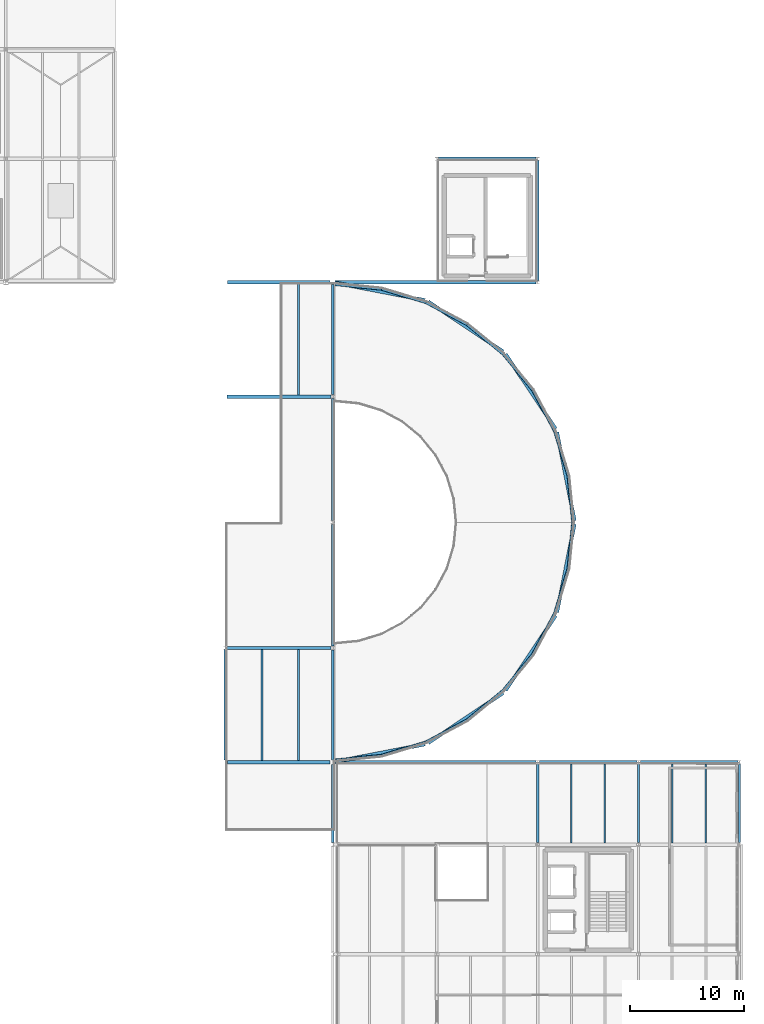
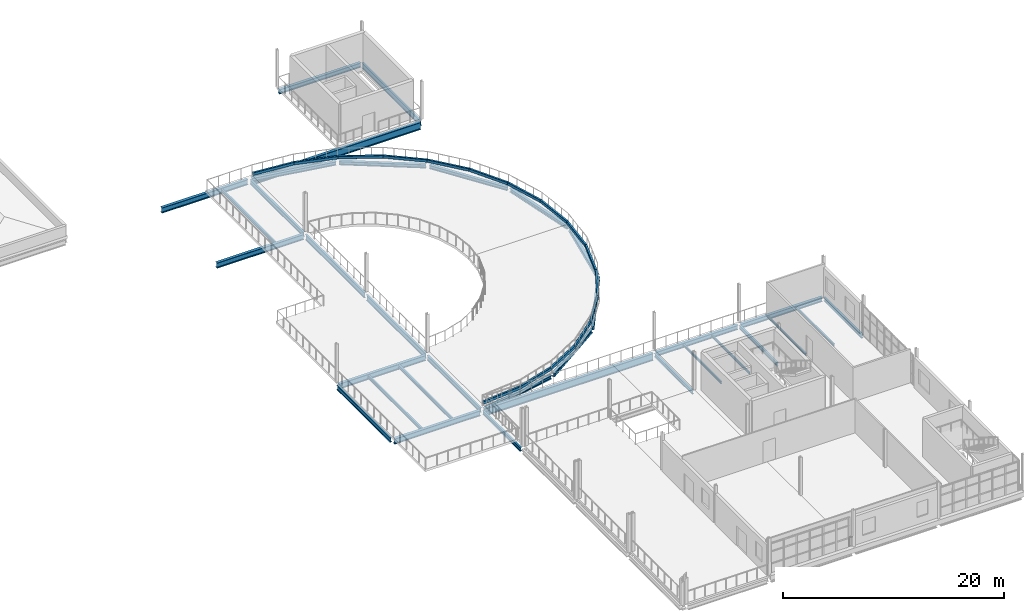
# One storey, part 33 of 58: 50 beams.
"""IFC4 building model written with IfcOpenShell, lengths in metres."""

from ifc_helpers import new_model, si_unit, direction, frame, origin, origin_2d, place, context, subcontext, project, spatial, hollow_rectangle, i_section, extrude, material, material_profile, profile_set, type_object, element, save


model = new_model("IFC4")

# Units and contexts
model_context = context("Model", 3, precision=1e-05, world=origin(), true_north=direction((0.0, 1.0)))
body_context = subcontext(model_context, "Body", "Model", "MODEL_VIEW")
ifc_project = project(units=[si_unit("LENGTHUNIT", "METRE"), si_unit("AREAUNIT", "SQUARE_METRE"), si_unit("VOLUMEUNIT", "CUBIC_METRE"), si_unit("PLANEANGLEUNIT", "RADIAN"), si_unit("MASSUNIT", "GRAM", prefix="KILO")], contexts=[model_context])

# Site, building, storey
site_placement = place(None, origin())
site = spatial("IfcSite", under=ifc_project, at=site_placement, CompositionType="ELEMENT")
building_placement = place(site_placement, origin())
building = spatial("IfcBuilding", under=site, at=building_placement, Name="Yeouljin Market Hall", CompositionType="ELEMENT")
storey_placement = place(building_placement, frame((0.0, 0.0, 10.800048828125)))
storey = spatial("IfcBuildingStorey", under=building, at=storey_placement, Name="L02", CompositionType="ELEMENT", Elevation=10.800048828125)

# Beams
ifc_material_1 = material(Name="Steel SM355", Category="steel")
ifc_material_profile_1 = material_profile(ifc_material_1, i_section(OverallWidth=0.300048828125, OverallDepth=0.389892578125, WebThickness=0.010009765625, FlangeThickness=0.01611328125, FilletRadius=0.01806640625, at=origin_2d()), Name="H-390x300x10x16")
ifc_profile_set_1 = profile_set([ifc_material_profile_1], Name="Steel SM355")
beam_type_1 = type_object("IfcBeamType", Name="Beam_H-390x300x10x16", PredefinedType="BEAM", material=ifc_profile_set_1)
beam_1_placement = place(storey_placement, frame((140.981201171875, 36.0380859375, -0.465087890625), z_axis=(0.981751900306, 0.19016625948, 0.0), x_axis=(-0.19016625948, 0.981751900306, 0.0)))
element("IfcBeam", 1, at=beam_1_placement, inside=storey, type_object=beam_type_1, Name="Apse ring beam L02 163", PredefinedType="BEAM", context=body_context, shape_type="SweptSolid", body=[
    extrude(i_section(OverallWidth=0.300048828125, OverallDepth=0.389892578125, WebThickness=0.010009765625, FlangeThickness=0.01611328125, FilletRadius=0.01806640625, at=origin_2d()), origin(), (0.0, 0.0, 1.0), 8.045654296875),
])
for number, where, z_axis, x_axis, name in (
    (2, (149.168701171875, 37.68701171875, -0.465087890625), (0.831472752027, 0.555565534062, 0.0), (-0.555565534062, 0.831472752027, 0.0), "Apse ring beam L02 164"),
    (3, (155.937744140625, 42.283203125, -0.465087890625), (0.555565534062, 0.831472752027, 0.0), (-0.831472752027, 0.555565534062, 0.0), "Apse ring beam L02 165"),
    (4, (160.4326171875, 49.119873046875, -0.465087890625), (0.195090603327, 0.980785224447, 0.0), (-0.980785224447, 0.195090603327, 0.0), "Apse ring beam L02 166"),
    (5, (161.968994140625, 57.15625, -0.465087890625), (-0.195090603327, 0.980785224447, 0.0), (-0.980785224447, -0.195090603327, 0.0), "Apse ring beam L02 167"),
    (6, (160.31298828125, 65.168701171875, -0.465087890625), (-0.555565534062, 0.831472752027, 0.0), (-0.831472752027, -0.555565534062, 0.0), "Apse ring beam L02 168"),
    (7, (155.716796875, 71.937744140625, -0.465087890625), (-0.831472752027, 0.555565534062, 0.0), (-0.555565534062, -0.831472752027, 0.0), "Apse ring beam L02 169"),
):
    element("IfcBeam", number, at=place(storey_placement, frame(where, z_axis=z_axis, x_axis=x_axis)), inside=storey, type_object=beam_type_1, Name=name, PredefinedType="BEAM", context=body_context, shape_type="SweptSolid", body=[
        extrude(i_section(OverallWidth=0.300048828125, OverallDepth=0.389892578125, WebThickness=0.010009765625, FlangeThickness=0.01611328125, FilletRadius=0.01806640625, at=origin_2d()), origin(), (0.0, 0.0, 1.0), 7.875244140625),
    ])
beam_2_placement = place(storey_placement, frame((148.880126953125, 76.431884765625, -0.465087890625), z_axis=(-0.981751900306, 0.19016625948, 0.0), x_axis=(-0.19016625948, -0.981751900306, 0.0)))
element("IfcBeam", 8, at=beam_2_placement, inside=storey, type_object=beam_type_1, Name="Apse ring beam L02 170", PredefinedType="BEAM", context=body_context, shape_type="SweptSolid", body=[
    extrude(i_section(OverallWidth=0.300048828125, OverallDepth=0.389892578125, WebThickness=0.010009765625, FlangeThickness=0.01611328125, FilletRadius=0.01806640625, at=origin_2d()), origin(), (0.0, 0.0, 1.0), 8.045654296875),
])
ifc_material_2 = material(Name="Steel SM355", Category="steel")
ifc_material_profile_2 = material_profile(ifc_material_2, i_section(OverallWidth=0.199951171875, OverallDepth=0.39990234375, WebThickness=0.008056640625, FlangeThickness=0.012939453125, FilletRadius=0.01611328125, at=origin_2d()), Name="H-400x200x8x13")
ifc_profile_set_2 = profile_set([ifc_material_profile_2], Name="Steel SM355")
beam_type_2 = type_object("IfcBeamType", Name="Beam_H-400x200x8x13", PredefinedType="BEAM", material=ifc_profile_set_2)
beam_3_placement = place(storey_placement, frame((140.797607421875, 28.97509765625, -0.469970703125), z_axis=(0.0, 1.0, 0.0), x_axis=(-1.0, 0.0, 0.0)))
element("IfcBeam", 9, at=beam_3_placement, inside=storey, type_object=beam_type_2, Name="Primary beam BM-L02-Y131", PredefinedType="BEAM", context=body_context, shape_type="SweptSolid", body=[
    extrude(i_section(OverallWidth=0.199951171875, OverallDepth=0.39990234375, WebThickness=0.008056640625, FlangeThickness=0.012939453125, FilletRadius=0.01611328125, at=origin_2d()), origin(), (0.0, 0.0, 1.0), 6.824951171875),
])
for number, where, z_axis, x_axis, name in (
    (10, (158.739990234375, 28.97509765625, -0.465087890625), (0.0, 1.0, 0.0), (-1.0, 0.0, 0.0), "Primary beam BM-L02-Y145"),
    (11, (167.570068359375, 28.97509765625, -0.465087890625), (0.0, 1.0, 0.0), (-1.0, 0.0, 0.0), "Primary beam BM-L02-Y150"),
    (12, (176.39990234375, 28.97509765625, -0.465087890625), (0.0, 1.0, 0.0), (-1.0, 0.0, 0.0), "Primary beam BM-L02-Y154"),
):
    element("IfcBeam", number, at=place(storey_placement, frame(where, z_axis=z_axis, x_axis=x_axis)), inside=storey, type_object=beam_type_2, Name=name, PredefinedType="BEAM", context=body_context, shape_type="SweptSolid", body=[
        extrude(i_section(OverallWidth=0.199951171875, OverallDepth=0.39990234375, WebThickness=0.008056640625, FlangeThickness=0.012939453125, FilletRadius=0.01611328125, at=origin_2d()), origin(), (0.0, 0.0, 1.0), 6.875),
    ])
ifc_material_3 = material(Name="Steel SM355", Category="steel")
ifc_material_profile_3 = material_profile(ifc_material_3, i_section(OverallWidth=0.199951171875, OverallDepth=0.5, WebThickness=0.010009765625, FlangeThickness=0.01611328125, FilletRadius=0.02001953125, at=origin_2d()), Name="H-500x200x10x16")
ifc_profile_set_3 = profile_set([ifc_material_profile_3], Name="Steel SM355")
beam_type_3 = type_object("IfcBeamType", Name="Beam_H-500x200x10x16", PredefinedType="BEAM", material=ifc_profile_set_3)
beam_4_placement = place(storey_placement, frame((131.39990234375, 36.199951171875, -0.52001953125), z_axis=(0.0, 1.0, 0.0), x_axis=(-1.0, 0.0, 0.0)))
element("IfcBeam", 13, at=beam_4_placement, inside=storey, type_object=beam_type_3, Name="Primary beam BM-L02-Y127", PredefinedType="BEAM", context=body_context, shape_type="SweptSolid", body=[
    extrude(i_section(OverallWidth=0.199951171875, OverallDepth=0.5, WebThickness=0.010009765625, FlangeThickness=0.01611328125, FilletRadius=0.02001953125, at=origin_2d()), origin(), (0.0, 0.0, 1.0), 9.650146484375),
])
for number, where, z_axis, x_axis, name in (
    (14, (140.797607421875, 36.199951171875, -0.52001953125), (0.0, 1.0, 0.0), (-1.0, 0.0, 0.0), "Primary beam BM-L02-Y132"),
    (15, (140.797607421875, 68.175048828125, -0.52001953125), (0.0, 1.0, 0.0), (-1.0, 0.0, 0.0), "Primary beam BM-L02-Y135"),
):
    element("IfcBeam", number, at=place(storey_placement, frame(where, z_axis=z_axis, x_axis=x_axis)), inside=storey, type_object=beam_type_3, Name=name, PredefinedType="BEAM", context=body_context, shape_type="SweptSolid", body=[
        extrude(i_section(OverallWidth=0.199951171875, OverallDepth=0.5, WebThickness=0.010009765625, FlangeThickness=0.01611328125, FilletRadius=0.02001953125, at=origin_2d()), origin(), (0.0, 0.0, 1.0), 9.625),
    ])
ifc_material_4 = material(Name="Steel SM355", Category="steel")
ifc_material_profile_4 = material_profile(ifc_material_4, i_section(OverallWidth=0.199951171875, OverallDepth=0.60009765625, WebThickness=0.010986328125, FlangeThickness=0.01708984375, FilletRadius=0.02197265625, at=origin_2d()), Name="H-600x200x11x17")
ifc_profile_set_4 = profile_set([ifc_material_profile_4], Name="Steel SM355")
beam_type_4 = type_object("IfcBeamType", Name="Beam_H-600x200x11x17", PredefinedType="BEAM", material=ifc_profile_set_4)
for number, where, z_axis, x_axis, name in (
    (16, (140.81005859375, 46.175048828125, -0.570068359375), (0.0, 1.0, 0.0), (-1.0, 0.0, 0.0), "Primary beam BM-L02-Y133"),
    (17, (140.81005859375, 57.175048828125, -0.570068359375), (0.0, 1.0, 0.0), (-1.0, 0.0, 0.0), "Primary beam BM-L02-Y134"),
):
    element("IfcBeam", number, at=place(storey_placement, frame(where, z_axis=z_axis, x_axis=x_axis)), inside=storey, type_object=beam_type_4, Name=name, PredefinedType="BEAM", context=body_context, shape_type="SweptSolid", body=[
        extrude(i_section(OverallWidth=0.199951171875, OverallDepth=0.60009765625, WebThickness=0.010986328125, FlangeThickness=0.01708984375, FilletRadius=0.02197265625, at=origin_2d()), origin(), (0.0, 0.0, 1.0), 10.64990234375),
    ])
beam_5_placement = place(storey_placement, frame((158.739990234375, 78.14990234375, -0.56494140625), z_axis=(0.0, 1.0, 0.0), x_axis=(-1.0, 0.0, 0.0)))
element("IfcBeam", 18, at=beam_5_placement, inside=storey, type_object=beam_type_4, Name="Primary beam BM-L02-Y146", PredefinedType="BEAM", context=body_context, shape_type="SweptSolid", body=[
    extrude(i_section(OverallWidth=0.199951171875, OverallDepth=0.60009765625, WebThickness=0.010986328125, FlangeThickness=0.01708984375, FilletRadius=0.02197265625, at=origin_2d()), origin(), (0.0, 0.0, 1.0), 10.5),
])
ifc_material_5 = material(Name="Steel SM355", Category="steel")
ifc_material_profile_5 = material_profile(ifc_material_5, hollow_rectangle(XDim=0.199951171875, YDim=0.300048828125, WallThickness=0.009033203125, InnerFilletRadius=0.009033203125, OuterFilletRadius=0.01611328125, at=origin_2d()), Name="RHS-300x200x9")
ifc_profile_set_5 = profile_set([ifc_material_profile_5], Name="Steel SM355")
beam_type_5 = type_object("IfcBeamType", Name="Beam_RHS-300x200x9", PredefinedType="BEAM", material=ifc_profile_set_5)
for number, where, z_axis, x_axis, name in (
    (19, (141.0, 36.199951171875, 0.25), (0.995184876277, 0.09801562135, 0.0), (-0.09801562135, 0.995184876277, 0.0), "Apse eaves ring beam east 01"),
    (20, (145.057861328125, 36.599609375, 0.25), (0.956941777734, 0.290279923568, 0.0), (-0.290279923568, 0.956941777734, 0.0), "Apse eaves ring beam east 02"),
):
    element("IfcBeam", number, at=place(storey_placement, frame(where, z_axis=z_axis, x_axis=x_axis)), inside=storey, type_object=beam_type_5, Name=name, PredefinedType="BEAM", context=body_context, shape_type="SweptSolid", body=[
        extrude(hollow_rectangle(XDim=0.199951171875, YDim=0.300048828125, WallThickness=0.009033203125, InnerFilletRadius=0.009033203125, OuterFilletRadius=0.01611328125, at=origin_2d()), origin(), (0.0, 0.0, 1.0), 4.077392578125),
    ])
for number, where, z_axis, x_axis, name in (
    (21, (148.959716796875, 37.783203125, 0.25), (0.881929952076, 0.471380482871, 0.0), (-0.471380482871, 0.881929952076, 0.0), "Apse eaves ring beam east 03"),
    (22, (152.555908203125, 39.705322265625, 0.25), (0.772980009623, 0.634430378153, 0.0), (-0.634430378153, 0.772980009623, 0.0), "Apse eaves ring beam east 04"),
    (23, (155.707763671875, 42.292236328125, 0.25), (0.634430378153, 0.772980009623, 0.0), (-0.772980009623, 0.634430378153, 0.0), "Apse eaves ring beam east 05"),
    (24, (158.294677734375, 45.444091796875, 0.25), (0.471380482871, 0.881929952076, 0.0), (-0.881929952076, 0.471380482871, 0.0), "Apse eaves ring beam east 06"),
):
    element("IfcBeam", number, at=place(storey_placement, frame(where, z_axis=z_axis, x_axis=x_axis)), inside=storey, type_object=beam_type_5, Name=name, PredefinedType="BEAM", context=body_context, shape_type="SweptSolid", body=[
        extrude(hollow_rectangle(XDim=0.199951171875, YDim=0.300048828125, WallThickness=0.009033203125, InnerFilletRadius=0.009033203125, OuterFilletRadius=0.01611328125, at=origin_2d()), origin(), (0.0, 0.0, 1.0), 4.07763671875),
    ])
for number, where, z_axis, x_axis, name in (
    (25, (160.216796875, 49.040283203125, 0.25), (0.290279923568, 0.956941777734, 0.0), (-0.956941777734, 0.290279923568, 0.0), "Apse eaves ring beam east 07"),
    (26, (161.400390625, 52.942138671875, 0.25), (0.09801562135, 0.995184876277, 0.0), (-0.995184876277, 0.09801562135, 0.0), "Apse eaves ring beam east 08"),
    (27, (161.800048828125, 57.0, 0.25), (-0.09801562135, 0.995184876277, 0.0), (-0.995184876277, -0.09801562135, 0.0), "Apse eaves ring beam east 09"),
    (28, (161.400390625, 61.057861328125, 0.25), (-0.290279923568, 0.956941777734, 0.0), (-0.956941777734, -0.290279923568, 0.0), "Apse eaves ring beam east 10"),
):
    element("IfcBeam", number, at=place(storey_placement, frame(where, z_axis=z_axis, x_axis=x_axis)), inside=storey, type_object=beam_type_5, Name=name, PredefinedType="BEAM", context=body_context, shape_type="SweptSolid", body=[
        extrude(hollow_rectangle(XDim=0.199951171875, YDim=0.300048828125, WallThickness=0.009033203125, InnerFilletRadius=0.009033203125, OuterFilletRadius=0.01611328125, at=origin_2d()), origin(), (0.0, 0.0, 1.0), 4.077392578125),
    ])
for number, where, z_axis, x_axis, name in (
    (29, (160.216796875, 64.959716796875, 0.25), (-0.471380482871, 0.881929952076, 0.0), (-0.881929952076, -0.471380482871, 0.0), "Apse eaves ring beam east 11"),
    (30, (158.294677734375, 68.555908203125, 0.25), (-0.634430378153, 0.772980009623, 0.0), (-0.772980009623, -0.634430378153, 0.0), "Apse eaves ring beam east 12"),
    (31, (155.707763671875, 71.707763671875, 0.25), (-0.772980009623, 0.634430378153, 0.0), (-0.634430378153, -0.772980009623, 0.0), "Apse eaves ring beam east 13"),
    (32, (152.555908203125, 74.294677734375, 0.25), (-0.881929952076, 0.471380482871, 0.0), (-0.471380482871, -0.881929952076, 0.0), "Apse eaves ring beam east 14"),
):
    element("IfcBeam", number, at=place(storey_placement, frame(where, z_axis=z_axis, x_axis=x_axis)), inside=storey, type_object=beam_type_5, Name=name, PredefinedType="BEAM", context=body_context, shape_type="SweptSolid", body=[
        extrude(hollow_rectangle(XDim=0.199951171875, YDim=0.300048828125, WallThickness=0.009033203125, InnerFilletRadius=0.009033203125, OuterFilletRadius=0.01611328125, at=origin_2d()), origin(), (0.0, 0.0, 1.0), 4.07763671875),
    ])
for number, where, z_axis, x_axis, name in (
    (33, (148.959716796875, 76.216796875, 0.25), (-0.956941777734, 0.290279923568, 0.0), (-0.290279923568, -0.956941777734, 0.0), "Apse eaves ring beam east 15"),
    (34, (145.057861328125, 77.400390625, 0.25), (-0.995184876277, 0.09801562135, 0.0), (-0.09801562135, -0.995184876277, 0.0), "Apse eaves ring beam east 16"),
):
    element("IfcBeam", number, at=place(storey_placement, frame(where, z_axis=z_axis, x_axis=x_axis)), inside=storey, type_object=beam_type_5, Name=name, PredefinedType="BEAM", context=body_context, shape_type="SweptSolid", body=[
        extrude(hollow_rectangle(XDim=0.199951171875, YDim=0.300048828125, WallThickness=0.009033203125, InnerFilletRadius=0.009033203125, OuterFilletRadius=0.01611328125, at=origin_2d()), origin(), (0.0, 0.0, 1.0), 4.077392578125),
    ])
ifc_material_6 = material(Name="Steel SM355", Category="steel")
ifc_material_profile_6 = material_profile(ifc_material_6, i_section(OverallWidth=0.300048828125, OverallDepth=0.488037109375, WebThickness=0.010986328125, FlangeThickness=0.01806640625, FilletRadius=0.02197265625, at=origin_2d()), Name="H-488x300x11x18")
ifc_profile_set_6 = profile_set([ifc_material_profile_6], Name="Steel SM355")
beam_type_6 = type_object("IfcBeamType", Name="Girder_H-488x300x11x18", PredefinedType="USERDEFINED", material=ifc_profile_set_6)
for number, where, z_axis, x_axis, name in (
    (35, (158.889892578125, 36.0, -0.509033203125), (1.0, 0.0, 0.0), (0.0, 1.0, 0.0), "Primary girder GRD-L02-X039"),
    (36, (167.719970703125, 36.0, -0.509033203125), (1.0, 0.0, 0.0), (0.0, 1.0, 0.0), "Primary girder GRD-L02-X040"),
    (37, (150.06005859375, 88.800048828125, -0.509033203125), (1.0, 0.0, 0.0), (0.0, 1.0, 0.0), "Primary girder GRD-L02-X064"),
):
    element("IfcBeam", number, at=place(storey_placement, frame(where, z_axis=z_axis, x_axis=x_axis)), inside=storey, type_object=beam_type_6, Name=name, ObjectType="GIRDER", PredefinedType="USERDEFINED", context=body_context, shape_type="SweptSolid", body=[
        extrude(i_section(OverallWidth=0.300048828125, OverallDepth=0.488037109375, WebThickness=0.010986328125, FlangeThickness=0.01806640625, FilletRadius=0.02197265625, at=origin_2d()), origin(), (0.0, 0.0, 1.0), 8.530029296875),
    ])
ifc_material_7 = material(Name="Steel SM355", Category="steel")
ifc_material_profile_7 = material_profile(ifc_material_7, i_section(OverallWidth=0.300048828125, OverallDepth=0.587890625, WebThickness=0.011962890625, FlangeThickness=0.02001953125, FilletRadius=0.02392578125, at=origin_2d()), Name="H-588x300x12x20")
ifc_profile_set_7 = profile_set([ifc_material_profile_7], Name="Steel SM355")
beam_type_7 = type_object("IfcBeamType", Name="Girder_H-588x300x12x20", PredefinedType="USERDEFINED", material=ifc_profile_set_7)
beam_6_placement = place(storey_placement, frame((131.60009765625, 36.0, -0.56396484375), z_axis=(1.0, 0.0, 0.0), x_axis=(0.0, 1.0, 0.0)))
element("IfcBeam", 38, at=beam_6_placement, inside=storey, type_object=beam_type_7, Name="Primary girder GRD-L02-X037", ObjectType="GIRDER", PredefinedType="USERDEFINED", context=body_context, shape_type="SweptSolid", body=[
    extrude(i_section(OverallWidth=0.300048828125, OverallDepth=0.587890625, WebThickness=0.011962890625, FlangeThickness=0.02001953125, FilletRadius=0.02392578125, at=origin_2d()), origin(), (0.0, 0.0, 1.0), 8.98486328125),
])
for number, where, z_axis, x_axis, name in (
    (39, (131.550048828125, 46.0, -0.56396484375), (1.0, 0.0, 0.0), (0.0, 1.0, 0.0), "Primary girder GRD-L02-X042"),
    (40, (131.550048828125, 68.0, -0.56396484375), (1.0, 0.0, 0.0), (0.0, 1.0, 0.0), "Primary girder GRD-L02-X044"),
):
    element("IfcBeam", number, at=place(storey_placement, frame(where, z_axis=z_axis, x_axis=x_axis)), inside=storey, type_object=beam_type_7, Name=name, ObjectType="GIRDER", PredefinedType="USERDEFINED", context=body_context, shape_type="SweptSolid", body=[
        extrude(i_section(OverallWidth=0.300048828125, OverallDepth=0.587890625, WebThickness=0.011962890625, FlangeThickness=0.02001953125, FilletRadius=0.02392578125, at=origin_2d()), origin(), (0.0, 0.0, 1.0), 9.0849609375),
    ])
beam_7_placement = place(storey_placement, frame((131.60009765625, 78.0, -0.56396484375), z_axis=(1.0, 0.0, 0.0), x_axis=(0.0, 1.0, 0.0)))
element("IfcBeam", 41, at=beam_7_placement, inside=storey, type_object=beam_type_7, Name="Primary girder GRD-L02-X054", ObjectType="GIRDER", PredefinedType="USERDEFINED", context=body_context, shape_type="SweptSolid", body=[
    extrude(i_section(OverallWidth=0.300048828125, OverallDepth=0.587890625, WebThickness=0.011962890625, FlangeThickness=0.02001953125, FilletRadius=0.02392578125, at=origin_2d()), origin(), (0.0, 0.0, 1.0), 8.98486328125),
])
ifc_material_8 = material(Name="Steel SM355", Category="steel")
ifc_material_profile_8 = material_profile(ifc_material_8, i_section(OverallWidth=0.300048828125, OverallDepth=0.800048828125, WebThickness=0.013916015625, FlangeThickness=0.02587890625, FilletRadius=0.028076171875, at=origin_2d()), Name="H-800x300x14x26")
ifc_profile_set_8 = profile_set([ifc_material_profile_8], Name="Steel SM355")
beam_type_8 = type_object("IfcBeamType", Name="Girder_H-800x300x14x26", PredefinedType="USERDEFINED", material=ifc_profile_set_8)
for number, where, z_axis, x_axis, name in (
    (42, (140.985107421875, 36.0, -0.670166015625), (1.0, 0.0, 0.0), (0.0, 1.0, 0.0), "Primary girder GRD-L02-X038"),
    (43, (140.985107421875, 78.0, -0.670166015625), (1.0, 0.0, 0.0), (0.0, 1.0, 0.0), "Primary girder GRD-L02-X055"),
):
    element("IfcBeam", number, at=place(storey_placement, frame(where, z_axis=z_axis, x_axis=x_axis)), inside=storey, type_object=beam_type_8, Name=name, ObjectType="GIRDER", PredefinedType="USERDEFINED", context=body_context, shape_type="SweptSolid", body=[
        extrude(i_section(OverallWidth=0.300048828125, OverallDepth=0.800048828125, WebThickness=0.013916015625, FlangeThickness=0.02587890625, FilletRadius=0.028076171875, at=origin_2d()), origin(), (0.0, 0.0, 1.0), 17.60498046875),
    ])
ifc_material_9 = material(Name="Steel SM355", Category="steel")
ifc_material_profile_9 = material_profile(ifc_material_9, i_section(OverallWidth=0.125, OverallDepth=0.25, WebThickness=0.006103515625, FlangeThickness=0.009033203125, FilletRadius=0.011962890625, at=origin_2d()), Name="H-250x125x6x9")
ifc_profile_set_9 = profile_set([ifc_material_profile_9], Name="Steel SM355")
beam_type_9 = type_object("IfcBeamType", Name="Joist_H-250x125x6x9", PredefinedType="JOIST", material=ifc_profile_set_9)
for number, where, z_axis, x_axis, name in (
    (44, (161.683349609375, 28.947021484375, -0.39013671875), (0.0, 1.0, 0.0), (-1.0, 0.0, 0.0), "Secondary floor joist L02-078"),
    (45, (164.626708984375, 28.947021484375, -0.39013671875), (0.0, 1.0, 0.0), (-1.0, 0.0, 0.0), "Secondary floor joist L02-079"),
    (46, (170.51318359375, 28.947021484375, -0.39013671875), (0.0, 1.0, 0.0), (-1.0, 0.0, 0.0), "Secondary floor joist L02-085"),
    (47, (173.456787109375, 28.947021484375, -0.39013671875), (0.0, 1.0, 0.0), (-1.0, 0.0, 0.0), "Secondary floor joist L02-086"),
):
    element("IfcBeam", number, at=place(storey_placement, frame(where, z_axis=z_axis, x_axis=x_axis)), inside=storey, type_object=beam_type_9, Name=name, PredefinedType="JOIST", context=body_context, shape_type="SweptSolid", body=[
        extrude(i_section(OverallWidth=0.125, OverallDepth=0.25, WebThickness=0.006103515625, FlangeThickness=0.009033203125, FilletRadius=0.011962890625, at=origin_2d()), origin(), (0.0, 0.0, 1.0), 6.906005859375),
    ])
ifc_material_10 = material(Name="Steel SM355", Category="steel")
ifc_material_profile_10 = material_profile(ifc_material_10, i_section(OverallWidth=0.175048828125, OverallDepth=0.35009765625, WebThickness=0.007080078125, FlangeThickness=0.010986328125, FilletRadius=0.013916015625, at=origin_2d()), Name="H-350x175x7x11")
ifc_profile_set_10 = profile_set([ifc_material_profile_10], Name="Steel SM355")
beam_type_10 = type_object("IfcBeamType", Name="Joist_H-350x175x7x11", PredefinedType="JOIST", material=ifc_profile_set_10)
for number, where, z_axis, x_axis, name in (
    (48, (134.60009765625, 36.14697265625, -0.445068359375), (0.0, 1.0, 0.0), (-1.0, 0.0, 0.0), "Secondary floor joist L02-060"),
    (49, (137.800048828125, 36.14697265625, -0.445068359375), (0.0, 1.0, 0.0), (-1.0, 0.0, 0.0), "Secondary floor joist L02-061"),
    (50, (137.800048828125, 68.14697265625, -0.445068359375), (0.0, 1.0, 0.0), (-1.0, 0.0, 0.0), "Secondary floor joist L02-062"),
):
    element("IfcBeam", number, at=place(storey_placement, frame(where, z_axis=z_axis, x_axis=x_axis)), inside=storey, type_object=beam_type_10, Name=name, PredefinedType="JOIST", context=body_context, shape_type="SweptSolid", body=[
        extrude(i_section(OverallWidth=0.175048828125, OverallDepth=0.35009765625, WebThickness=0.007080078125, FlangeThickness=0.010986328125, FilletRadius=0.013916015625, at=origin_2d()), origin(), (0.0, 0.0, 1.0), 9.7060546875),
    ])

save(model, "model.ifc")
